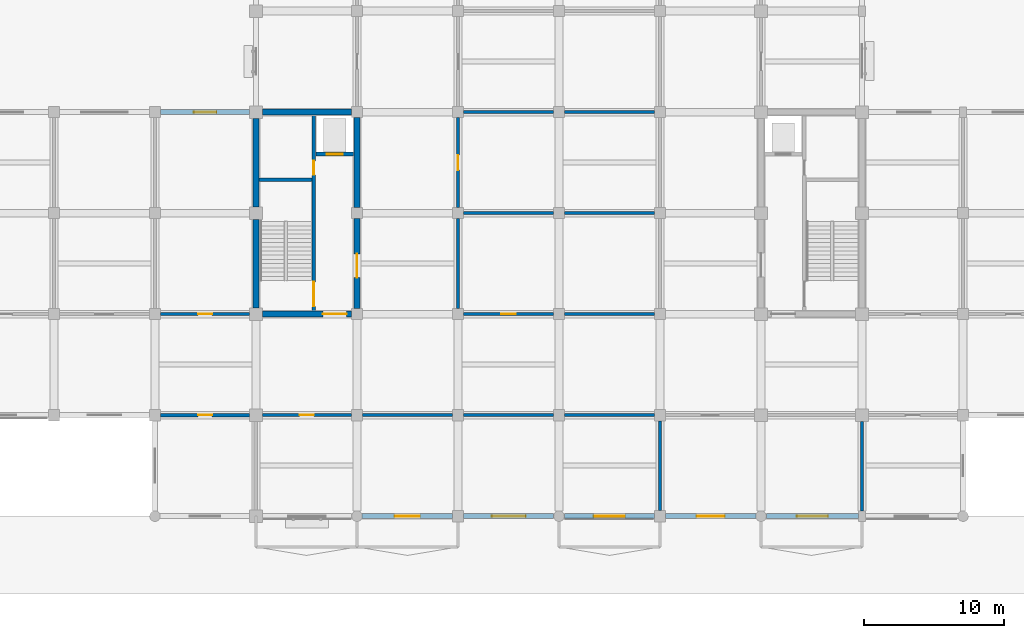
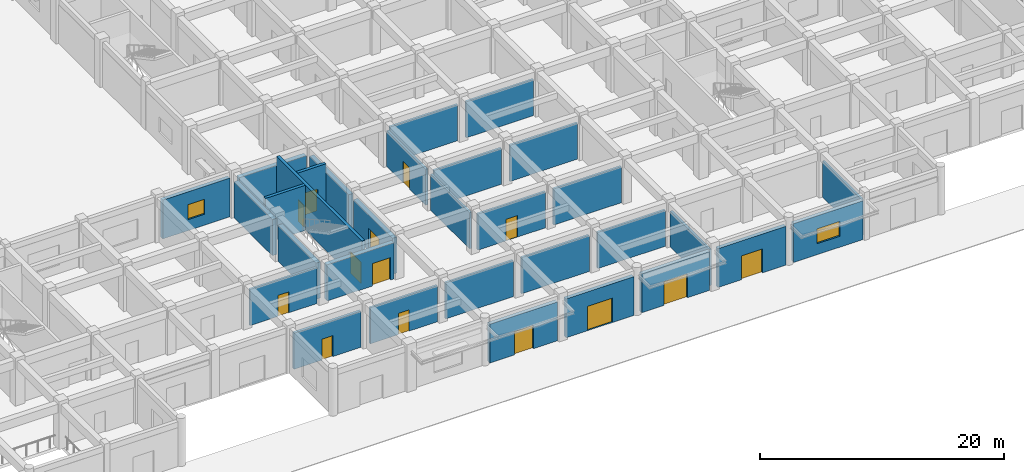
# One storey, part 11 of 37: 31 walls, 14 doors, 2 windows, 16 openings.
"""IFC4 building model written with IfcOpenShell, lengths in metres."""

from ifc_helpers import new_model, si_unit, direction, frame, frame_2d, origin, place, context, subcontext, project, spatial, rectangle, extrude, material, layer, layer_set, type_object, element, fill, save


model = new_model("IFC4")

# Units and contexts
model_context = context("Model", 3, precision=1e-05, world=origin(), true_north=direction((0.0, 1.0)))
body_context = subcontext(model_context, "Body", "Model", "MODEL_VIEW")
ifc_project = project(units=[si_unit("LENGTHUNIT", "METRE"), si_unit("AREAUNIT", "SQUARE_METRE"), si_unit("VOLUMEUNIT", "CUBIC_METRE"), si_unit("PLANEANGLEUNIT", "RADIAN"), si_unit("MASSUNIT", "GRAM", prefix="KILO")], contexts=[model_context])

# Site, building, storey
site_placement = place(None, origin())
site = spatial("IfcSite", under=ifc_project, at=site_placement, CompositionType="ELEMENT")
building_placement = place(site_placement, origin())
building = spatial("IfcBuilding", under=site, at=building_placement, Name="Cendaluz Park School", CompositionType="ELEMENT")
storey_placement = place(building_placement, origin())
storey = spatial("IfcBuildingStorey", under=building, at=storey_placement, Name="L00", CompositionType="ELEMENT", Elevation=0.0)

# Wall, opening, door
ifc_material_1 = material(Name="Gypsum Plasterboard on Cold-Formed Stud", Category="gypsum")
ifc_layer_1 = layer(ifc_material_1, 0.199951171875)
ifc_layer_set_1 = layer_set([ifc_layer_1], Name="Gypsum Plasterboard on Cold-Formed Stud")
wall_type_1 = type_object("IfcWallType", Name="W-AC20", PredefinedType="PARTITIONING", material=ifc_layer_set_1)
wall_1_placement = place(storey_placement, frame((65.25, 7.199951171875, 0.0), z_axis=(0.0, 0.0, 1.0), x_axis=(1.0, 0.0, 0.0)))
wall_1 = element("IfcWall", 1, at=wall_1_placement, inside=storey, type_object=wall_type_1, Name="WL-FA-CD4", PredefinedType="PARTITIONING", context=body_context, shape_type="SweptSolid", body=[
    extrude(rectangle(XDim=6.35009765625, YDim=0.199951171875, at=frame_2d((3.175048828125, 0.0))), origin(), (0.0, 0.0, 1.0), 3.6201171875),
])
opening_1_placement = place(wall_1_placement, frame((2.6650390625, 0.0, 0.0)))
opening_1 = element("IfcOpeningElement", 2, at=opening_1_placement, cuts=wall_1, Name="Opening DCL-02", PredefinedType="OPENING", context=body_context, shape_type="SweptSolid", body=[
    extrude(rectangle(XDim=1.02001953125, YDim=2.1201171875, at=frame_2d((0.510009765625, 1.06005859375))), frame((0.0, 0.112060546875, 0.0), z_axis=(0.0, -1.0, 0.0), x_axis=(1.0, 0.0, 0.0)), (0.0, 0.0, 1.0), 0.223876953125),
])
ifc_material_2 = material(Name="Solid Core Hardwood", Category="wood")
door_type_1 = type_object("IfcDoorType", Name="DCL-02", OperationType="NOTDEFINED", PredefinedType="DOOR", material=ifc_material_2)
door_1_placement = place(opening_1_placement, frame((1.02001953125, 0.0, 0.0), z_axis=(0.0, 0.0, 1.0), x_axis=(-1.0, 0.0, 0.0)))
door_1 = element("IfcDoor", 3, at=door_1_placement, inside=storey, type_object=door_type_1, Name="D-L00-074", OperationType="SINGLE_SWING_LEFT", OverallHeight=2.1201171875, OverallWidth=1.02001953125, PredefinedType="DOOR", context=body_context, shape_type="SweptSolid", body=[
    extrude(rectangle(XDim=1.02001953125, YDim=2.1201171875, at=frame_2d((0.510009765625, 1.06005859375))), frame((0.0, 0.02490234375, 0.0), z_axis=(0.0, -1.0, 0.0), x_axis=(1.0, 0.0, 0.0)), (0.0, 0.0, 1.0), 0.050048828125),
])
fill(opening_1, door_1)

# Walls
wall_2_placement = place(storey_placement, frame((72.39990234375, 7.199951171875, 0.0), z_axis=(0.0, 0.0, 1.0), x_axis=(1.0, 0.0, 0.0)))
element("IfcWall", 4, at=wall_2_placement, inside=storey, type_object=wall_type_1, Name="WL-FA-CD5", PredefinedType="PARTITIONING", context=body_context, shape_type="SweptSolid", body=[
    extrude(rectangle(XDim=6.400146484375, YDim=0.199951171875, at=frame_2d((3.2001953125, 0.0))), origin(), (0.0, 0.0, 1.0), 3.6201171875),
])
for number, where, z_axis, x_axis, name in (
    (5, (79.60009765625, 7.199951171875, 0.0), (0.0, 0.0, 1.0), (1.0, 0.0, 0.0), "WL-FA-CD6"),
    (6, (86.800048828125, 7.199951171875, 0.0), (0.0, 0.0, 1.0), (1.0, 0.0, 0.0), "WL-FA-CD7"),
):
    element("IfcWall", number, at=place(storey_placement, frame(where, z_axis=z_axis, x_axis=x_axis)), inside=storey, type_object=wall_type_1, Name=name, PredefinedType="PARTITIONING", context=body_context, shape_type="SweptSolid", body=[
        extrude(rectangle(XDim=6.39990234375, YDim=0.199951171875, at=frame_2d((3.199951171875, 0.0))), origin(), (0.0, 0.0, 1.0), 3.6201171875),
    ])
wall_3_placement = place(storey_placement, frame((93.60009765625, 0.39990234375, 0.0), z_axis=(0.0, 0.0, 1.0), x_axis=(0.0, 1.0, 0.0)))
element("IfcWall", 7, at=wall_3_placement, inside=storey, type_object=wall_type_1, Name="WL-FA-CD8", PredefinedType="PARTITIONING", context=body_context, shape_type="SweptSolid", body=[
    extrude(rectangle(XDim=6.400146484375, YDim=0.199951171875, at=frame_2d((3.2001953125, 0.0))), origin(), (0.0, 0.0, 1.0), 3.6201171875),
])
for number, where, z_axis, x_axis, name in (
    (8, (79.60009765625, 28.800048828125, 0.0), (0.0, 0.0, 1.0), (1.0, 0.0, 0.0), "WL-FA-CE5"),
    (9, (86.800048828125, 28.800048828125, 0.0), (0.0, 0.0, 1.0), (1.0, 0.0, 0.0), "WL-FA-CE8"),
):
    element("IfcWall", number, at=place(storey_placement, frame(where, z_axis=z_axis, x_axis=x_axis)), inside=storey, type_object=wall_type_1, Name=name, PredefinedType="PARTITIONING", context=body_context, shape_type="SweptSolid", body=[
        extrude(rectangle(XDim=6.39990234375, YDim=0.199951171875, at=frame_2d((3.199951171875, 0.0))), origin(), (0.0, 0.0, 1.0), 3.6201171875),
    ])

# Wall, opening, door
wall_4_placement = place(storey_placement, frame((58.0, 14.39990234375, 0.0), z_axis=(0.0, 0.0, 1.0), x_axis=(1.0, 0.0, 0.0)))
wall_4 = element("IfcWall", 10, at=wall_4_placement, inside=storey, type_object=wall_type_1, Name="WL-FA-CH0", PredefinedType="PARTITIONING", context=body_context, shape_type="SweptSolid", body=[
    extrude(rectangle(XDim=6.35009765625, YDim=0.199951171875, at=frame_2d((3.175048828125, 0.0))), origin(), (0.0, 0.0, 1.0), 3.6201171875),
])
opening_2_placement = place(wall_4_placement, frame((2.675048828125, 0.0, 0.0)))
opening_2 = element("IfcOpeningElement", 11, at=opening_2_placement, cuts=wall_4, Name="Opening DCL-01", PredefinedType="OPENING", context=body_context, shape_type="SweptSolid", body=[
    extrude(rectangle(XDim=1.0, YDim=2.10009765625, at=frame_2d((0.5, 1.050048828125))), frame((0.0, 0.112060546875, 0.0), z_axis=(0.0, -1.0, 0.0), x_axis=(1.0, 0.0, 0.0)), (0.0, 0.0, 1.0), 0.223876953125),
])
door_type_2 = type_object("IfcDoorType", Name="DCL-01", OperationType="NOTDEFINED", PredefinedType="DOOR", material=ifc_material_2)
door_2_placement = place(opening_2_placement, origin())
door_2 = element("IfcDoor", 12, at=door_2_placement, inside=storey, type_object=door_type_2, Name="D-L00-083", OperationType="SINGLE_SWING_LEFT", OverallHeight=2.10009765625, OverallWidth=1.0, PredefinedType="DOOR", context=body_context, shape_type="SweptSolid", body=[
    extrude(rectangle(XDim=1.0, YDim=2.10009765625, at=frame_2d((0.5, 1.050048828125))), frame((0.0, 0.02490234375, 0.0), z_axis=(0.0, -1.0, 0.0), x_axis=(1.0, 0.0, 0.0)), (0.0, 0.0, 1.0), 0.050048828125),
])
fill(opening_2, door_2)

wall_5_placement = place(storey_placement, frame((79.60009765625, 14.39990234375, 0.0), z_axis=(0.0, 0.0, 1.0), x_axis=(1.0, 0.0, 0.0)))
wall_5 = element("IfcWall", 13, at=wall_5_placement, inside=storey, type_object=wall_type_1, Name="WL-FA-CJ8", PredefinedType="PARTITIONING", context=body_context, shape_type="SweptSolid", body=[
    extrude(rectangle(XDim=6.39990234375, YDim=0.199951171875, at=frame_2d((3.199951171875, 0.0))), origin(), (0.0, 0.0, 1.0), 3.6201171875),
])
opening_3_placement = place(wall_5_placement, frame((2.669921875, 0.0, 0.0)))
opening_3 = element("IfcOpeningElement", 14, at=opening_3_placement, cuts=wall_5, Name="Opening DCL-04", PredefinedType="OPENING", context=body_context, shape_type="SweptSolid", body=[
    extrude(rectangle(XDim=1.06005859375, YDim=2.159912109375, at=frame_2d((0.530029296875, 1.080078125))), frame((0.0, 0.112060546875, 0.0), z_axis=(0.0, -1.0, 0.0), x_axis=(1.0, 0.0, 0.0)), (0.0, 0.0, 1.0), 0.223876953125),
])
door_type_3 = type_object("IfcDoorType", Name="DCL-04", OperationType="NOTDEFINED", PredefinedType="DOOR", material=ifc_material_2)
door_3_placement = place(opening_3_placement, origin())
door_3 = element("IfcDoor", 15, at=door_3_placement, inside=storey, type_object=door_type_3, Name="D-L00-096", OperationType="SINGLE_SWING_RIGHT", OverallHeight=2.159912109375, OverallWidth=1.06005859375, PredefinedType="DOOR", context=body_context, shape_type="SweptSolid", body=[
    extrude(rectangle(XDim=1.06005859375, YDim=2.159912109375, at=frame_2d((0.530029296875, 1.080078125))), frame((0.0, 0.02490234375, 0.0), z_axis=(0.0, -1.0, 0.0), x_axis=(1.0, 0.0, 0.0)), (0.0, 0.0, 1.0), 0.050048828125),
])
fill(opening_3, door_3)

# Walls
for number, where, z_axis, x_axis, name in (
    (16, (79.60009765625, 21.60009765625, 0.0), (0.0, 0.0, 1.0), (1.0, 0.0, 0.0), "WL-FA-CJ9"),
    (17, (79.199951171875, 14.800048828125, 0.0), (0.0, 0.0, 1.0), (0.0, 1.0, 0.0), "WL-FA-CK0"),
    (18, (86.800048828125, 14.39990234375, 0.0), (0.0, 0.0, 1.0), (1.0, 0.0, 0.0), "WL-FA-CK1"),
    (19, (86.800048828125, 21.60009765625, 0.0), (0.0, 0.0, 1.0), (1.0, 0.0, 0.0), "WL-FA-CK2"),
):
    element("IfcWall", number, at=place(storey_placement, frame(where, z_axis=z_axis, x_axis=x_axis)), inside=storey, type_object=wall_type_1, Name=name, PredefinedType="PARTITIONING", context=body_context, shape_type="SweptSolid", body=[
        extrude(rectangle(XDim=6.39990234375, YDim=0.199951171875, at=frame_2d((3.199951171875, 0.0))), origin(), (0.0, 0.0, 1.0), 3.6201171875),
    ])

# Wall, opening, door
wall_6_placement = place(storey_placement, frame((79.199951171875, 22.0, 0.0), z_axis=(0.0, 0.0, 1.0), x_axis=(0.0, 1.0, 0.0)))
wall_6 = element("IfcWall", 20, at=wall_6_placement, inside=storey, type_object=wall_type_1, Name="WL-FA-CK4", PredefinedType="PARTITIONING", context=body_context, shape_type="SweptSolid", body=[
    extrude(rectangle(XDim=6.39990234375, YDim=0.199951171875, at=frame_2d((3.199951171875, 0.0))), origin(), (0.0, 0.0, 1.0), 3.6201171875),
])
opening_4_placement = place(wall_6_placement, frame((2.659912109375, 0.0, 0.0)))
opening_4 = element("IfcOpeningElement", 21, at=opening_4_placement, cuts=wall_6, Name="Opening DCL-05", PredefinedType="OPENING", context=body_context, shape_type="SweptSolid", body=[
    extrude(rectangle(XDim=1.080078125, YDim=2.179931640625, at=frame_2d((0.5400390625, 1.08984375))), frame((0.0, 0.112060546875, 0.0), z_axis=(0.0, -1.0, 0.0), x_axis=(1.0, 0.0, 0.0)), (0.0, 0.0, 1.0), 0.223876953125),
])
door_type_4 = type_object("IfcDoorType", Name="DCL-05", OperationType="NOTDEFINED", PredefinedType="DOOR", material=ifc_material_2)
door_4_placement = place(opening_4_placement, frame((1.080078125, 0.0, 0.0), z_axis=(0.0, 0.0, 1.0), x_axis=(-1.0, 0.0, 0.0)))
door_4 = element("IfcDoor", 22, at=door_4_placement, inside=storey, type_object=door_type_4, Name="D-L00-097", OperationType="SINGLE_SWING_LEFT", OverallHeight=2.179931640625, OverallWidth=1.080078125, PredefinedType="DOOR", context=body_context, shape_type="SweptSolid", body=[
    extrude(rectangle(XDim=1.080078125, YDim=2.179931640625, at=frame_2d((0.5400390625, 1.08984375))), frame((0.0, 0.02490234375, 0.0), z_axis=(0.0, -1.0, 0.0), x_axis=(1.0, 0.0, 0.0)), (0.0, 0.0, 1.0), 0.050048828125),
])
fill(opening_4, door_4)

# Wall
wall_7_placement = place(storey_placement, frame((108.0, 0.375, 0.0), z_axis=(0.0, 0.0, 1.0), x_axis=(0.0, 1.0, 0.0)))
element("IfcWall", 23, at=wall_7_placement, inside=storey, type_object=wall_type_1, Name="WL-FA-CL4", PredefinedType="PARTITIONING", context=body_context, shape_type="SweptSolid", body=[
    extrude(rectangle(XDim=6.375, YDim=0.199951171875, at=frame_2d((3.1875, 0.0))), origin(), (0.0, 0.0, 1.0), 3.6201171875),
])

# Wall, opening, door
ifc_layer_2 = layer(ifc_material_1, 0.25)
ifc_layer_set_2 = layer_set([ifc_layer_2], Name="Gypsum Plasterboard on Cold-Formed Stud")
wall_type_2 = type_object("IfcWallType", Name="W-CP25", PredefinedType="PARTITIONING", material=ifc_layer_set_2)
wall_8_placement = place(storey_placement, frame((58.0, 7.199951171875, 0.0), z_axis=(0.0, 0.0, 1.0), x_axis=(1.0, 0.0, 0.0)))
wall_8 = element("IfcWall", 24, at=wall_8_placement, inside=storey, type_object=wall_type_2, Name="WL-FA-CD2", PredefinedType="PARTITIONING", context=body_context, shape_type="SweptSolid", body=[
    extrude(rectangle(XDim=6.35009765625, YDim=0.25, at=frame_2d((3.175048828125, 0.0))), origin(), (0.0, 0.0, 1.0), 3.6201171875),
])
opening_5_placement = place(wall_8_placement, frame((2.675048828125, 0.0, 0.0)))
opening_5 = element("IfcOpeningElement", 25, at=opening_5_placement, cuts=wall_8, Name="Opening DCL-01", PredefinedType="OPENING", context=body_context, shape_type="SweptSolid", body=[
    extrude(rectangle(XDim=1.0, YDim=2.10009765625, at=frame_2d((0.5, 1.050048828125))), frame((0.0, 0.136962890625, 0.0), z_axis=(0.0, -1.0, 0.0), x_axis=(1.0, 0.0, 0.0)), (0.0, 0.0, 1.0), 0.27392578125),
])
door_5_placement = place(opening_5_placement, origin())
door_5 = element("IfcDoor", 26, at=door_5_placement, inside=storey, type_object=door_type_2, Name="D-L00-073", OperationType="SINGLE_SWING_RIGHT", OverallHeight=2.10009765625, OverallWidth=1.0, PredefinedType="DOOR", context=body_context, shape_type="SweptSolid", body=[
    extrude(rectangle(XDim=1.0, YDim=2.10009765625, at=frame_2d((0.5, 1.050048828125))), frame((0.0, 0.02490234375, 0.0), z_axis=(0.0, -1.0, 0.0), x_axis=(1.0, 0.0, 0.0)), (0.0, 0.0, 1.0), 0.050048828125),
])
fill(opening_5, door_5)

# Wall, opening, window
ifc_material_3 = material(Name="Concrete C40/50 precast", Category="concrete")
ifc_layer_3 = layer(ifc_material_3, 0.360107421875)
ifc_layer_set_3 = layer_set([ifc_layer_3], Name="Concrete C40/50 precast")
wall_type_3 = type_object("IfcWallType", Name="W-EX36", PredefinedType="SOLIDWALL", material=ifc_layer_set_3)
wall_9_placement = place(storey_placement, frame((58.0, 28.800048828125, 0.0), z_axis=(0.0, 0.0, 1.0), x_axis=(1.0, 0.0, 0.0)))
wall_9 = element("IfcWall", 27, at=wall_9_placement, inside=storey, type_object=wall_type_3, Name="WL-FA-AF3", PredefinedType="SOLIDWALL", context=body_context, shape_type="SweptSolid", body=[
    extrude(rectangle(XDim=6.35009765625, YDim=0.360107421875, at=frame_2d((3.175048828125, 0.0))), origin(), (0.0, 0.0, 1.0), 3.889892578125),
])
opening_6_placement = place(wall_9_placement, frame((2.375, 0.0, 1.10009765625)))
opening_6 = element("IfcOpeningElement", 28, at=opening_6_placement, cuts=wall_9, Name="Opening WN-16", PredefinedType="OPENING", context=body_context, shape_type="SweptSolid", body=[
    extrude(rectangle(XDim=1.60009765625, YDim=1.5, at=frame_2d((0.800048828125, 0.75))), frame((0.0, 0.192138671875, 0.0), z_axis=(0.0, -1.0, 0.0), x_axis=(1.0, 0.0, 0.0)), (0.0, 0.0, 1.0), 0.384033203125),
])
ifc_material_4 = material(Name="Tempered Low-E Double Glazing", Category="glass")
window_type_1 = type_object("IfcWindowType", Name="WN-16", PartitioningType="SINGLE_PANEL", PredefinedType="WINDOW", material=ifc_material_4)
window_1_placement = place(opening_6_placement, origin())
window_1 = element("IfcWindow", 29, at=window_1_placement, inside=storey, type_object=window_type_1, Name="WN-L00-041", OverallHeight=1.5, OverallWidth=1.60009765625, PartitioningType="SINGLE_PANEL", PredefinedType="WINDOW", context=body_context, shape_type="SweptSolid", body=[
    extrude(rectangle(XDim=1.60009765625, YDim=1.5, at=frame_2d((0.800048828125, 0.75))), frame((0.0, 0.030029296875, 0.0), z_axis=(0.0, -1.0, 0.0), x_axis=(1.0, 0.0, 0.0)), (0.0, 0.0, 1.0), 0.06005859375),
])
fill(opening_6, window_1)

# Wall, opening, door
wall_10_placement = place(storey_placement, frame((72.375, 0.0, 0.0), z_axis=(0.0, 0.0, 1.0), x_axis=(1.0, 0.0, 0.0)))
wall_10 = element("IfcWall", 30, at=wall_10_placement, inside=storey, type_object=wall_type_3, Name="WL-FA-AG0", PredefinedType="SOLIDWALL", context=body_context, shape_type="SweptSolid", body=[
    extrude(rectangle(XDim=6.425048828125, YDim=0.360107421875, at=frame_2d((3.21240234375, 0.0))), origin(), (0.0, 0.0, 1.0), 3.889892578125),
])
opening_7_placement = place(wall_10_placement, frame((2.3125, 0.0, 0.0)))
opening_7 = element("IfcOpeningElement", 31, at=opening_7_placement, cuts=wall_10, Name="Opening DEX-03", PredefinedType="OPENING", context=body_context, shape_type="SweptSolid", body=[
    extrude(rectangle(XDim=1.800048828125, YDim=2.35009765625, at=frame_2d((0.89990234375, 1.175048828125))), frame((0.0, 0.192138671875, 0.0), z_axis=(0.0, -1.0, 0.0), x_axis=(1.0, 0.0, 0.0)), (0.0, 0.0, 1.0), 0.384033203125),
])
ifc_material_5 = material(Name="Architectural Bronze")
door_type_5 = type_object("IfcDoorType", Name="DEX-03", OperationType="DOUBLE_DOOR_SINGLE_SWING", PredefinedType="DOOR", material=ifc_material_5)
door_6_placement = place(opening_7_placement, frame((1.800048828125, 0.0, 0.0), z_axis=(0.0, 0.0, 1.0), x_axis=(-1.0, 0.0, 0.0)))
door_6 = element("IfcDoor", 32, at=door_6_placement, inside=storey, type_object=door_type_5, Name="D-L00-014", OperationType="DOUBLE_DOOR_SINGLE_SWING", OverallHeight=2.35009765625, OverallWidth=1.800048828125, PredefinedType="DOOR", context=body_context, shape_type="SweptSolid", body=[
    extrude(rectangle(XDim=1.800048828125, YDim=2.35009765625, at=frame_2d((0.89990234375, 1.175048828125))), frame((0.0, 0.02490234375, 0.0), z_axis=(0.0, -1.0, 0.0), x_axis=(1.0, 0.0, 0.0)), (0.0, 0.0, 1.0), 0.050048828125),
])
fill(opening_7, door_6)

wall_11_placement = place(storey_placement, frame((79.60009765625, 0.0, 0.0), z_axis=(0.0, 0.0, 1.0), x_axis=(1.0, 0.0, 0.0)))
wall_11 = element("IfcWall", 33, at=wall_11_placement, inside=storey, type_object=wall_type_3, Name="WL-FA-AG2", PredefinedType="SOLIDWALL", context=body_context, shape_type="SweptSolid", body=[
    extrude(rectangle(XDim=6.4248046875, YDim=0.360107421875, at=frame_2d((3.21240234375, 0.0))), origin(), (0.0, 0.0, 1.0), 3.889892578125),
])
opening_8_placement = place(wall_11_placement, frame((2.012451171875, 0.0, 0.0)))
opening_8 = element("IfcOpeningElement", 34, at=opening_8_placement, cuts=wall_11, Name="Opening DEX-04", PredefinedType="OPENING", context=body_context, shape_type="SweptSolid", body=[
    extrude(rectangle(XDim=2.39990234375, YDim=2.449951171875, at=frame_2d((1.199951171875, 1.22509765625))), frame((0.0, 0.192138671875, 0.0), z_axis=(0.0, -1.0, 0.0), x_axis=(1.0, 0.0, 0.0)), (0.0, 0.0, 1.0), 0.384033203125),
])
door_type_6 = type_object("IfcDoorType", Name="DEX-04", OperationType="DOUBLE_DOOR_SINGLE_SWING", PredefinedType="DOOR", material=ifc_material_5)
door_7_placement = place(opening_8_placement, frame((2.39990234375, 0.0, 0.0), z_axis=(0.0, 0.0, 1.0), x_axis=(-1.0, 0.0, 0.0)))
door_7 = element("IfcDoor", 35, at=door_7_placement, inside=storey, type_object=door_type_6, Name="D-L00-015", OperationType="DOUBLE_DOOR_SINGLE_SWING", OverallHeight=2.449951171875, OverallWidth=2.39990234375, PredefinedType="DOOR", context=body_context, shape_type="SweptSolid", body=[
    extrude(rectangle(XDim=2.39990234375, YDim=2.449951171875, at=frame_2d((1.199951171875, 1.22509765625))), frame((0.0, 0.02490234375, 0.0), z_axis=(0.0, -1.0, 0.0), x_axis=(1.0, 0.0, 0.0)), (0.0, 0.0, 1.0), 0.050048828125),
])
fill(opening_8, door_7)

wall_12_placement = place(storey_placement, frame((86.77490234375, 0.0, 0.0), z_axis=(0.0, 0.0, 1.0), x_axis=(1.0, 0.0, 0.0)))
wall_12 = element("IfcWall", 36, at=wall_12_placement, inside=storey, type_object=wall_type_3, Name="WL-FA-AG4", PredefinedType="SOLIDWALL", context=body_context, shape_type="SweptSolid", body=[
    extrude(rectangle(XDim=6.425048828125, YDim=0.360107421875, at=frame_2d((3.21240234375, 0.0))), origin(), (0.0, 0.0, 1.0), 3.889892578125),
])
opening_9_placement = place(wall_12_placement, frame((2.112548828125, 0.0, 0.0)))
opening_9 = element("IfcOpeningElement", 37, at=opening_9_placement, cuts=wall_12, Name="Opening DEX-01", PredefinedType="OPENING", context=body_context, shape_type="SweptSolid", body=[
    extrude(rectangle(XDim=2.199951171875, YDim=2.39990234375, at=frame_2d((1.10009765625, 1.199951171875))), frame((0.0, 0.192138671875, 0.0), z_axis=(0.0, -1.0, 0.0), x_axis=(1.0, 0.0, 0.0)), (0.0, 0.0, 1.0), 0.384033203125),
])
door_type_7 = type_object("IfcDoorType", Name="DEX-01", OperationType="DOUBLE_DOOR_SINGLE_SWING", PredefinedType="DOOR", material=ifc_material_5)
door_8_placement = place(opening_9_placement, frame((2.199951171875, 0.0, 0.0), z_axis=(0.0, 0.0, 1.0), x_axis=(-1.0, 0.0, 0.0)))
door_8 = element("IfcDoor", 38, at=door_8_placement, inside=storey, type_object=door_type_7, Name="D-L00-016", OperationType="DOUBLE_DOOR_SINGLE_SWING", OverallHeight=2.39990234375, OverallWidth=2.199951171875, PredefinedType="DOOR", context=body_context, shape_type="SweptSolid", body=[
    extrude(rectangle(XDim=2.199951171875, YDim=2.39990234375, at=frame_2d((1.10009765625, 1.199951171875))), frame((0.0, 0.02490234375, 0.0), z_axis=(0.0, -1.0, 0.0), x_axis=(1.0, 0.0, 0.0)), (0.0, 0.0, 1.0), 0.050048828125),
])
fill(opening_9, door_8)

wall_13_placement = place(storey_placement, frame((94.0, 0.0, 0.0), z_axis=(0.0, 0.0, 1.0), x_axis=(1.0, 0.0, 0.0)))
wall_13 = element("IfcWall", 39, at=wall_13_placement, inside=storey, type_object=wall_type_3, Name="WL-FA-AG6", PredefinedType="SOLIDWALL", context=body_context, shape_type="SweptSolid", body=[
    extrude(rectangle(XDim=6.425048828125, YDim=0.360107421875, at=frame_2d((3.21240234375, 0.0))), origin(), (0.0, 0.0, 1.0), 3.889892578125),
])
opening_10_placement = place(wall_13_placement, frame((2.21240234375, 0.0, 0.0)))
opening_10 = element("IfcOpeningElement", 40, at=opening_10_placement, cuts=wall_13, Name="Opening DEX-02", PredefinedType="OPENING", context=body_context, shape_type="SweptSolid", body=[
    extrude(rectangle(XDim=2.0, YDim=2.39990234375, at=frame_2d((1.0, 1.199951171875))), frame((0.0, 0.192138671875, 0.0), z_axis=(0.0, -1.0, 0.0), x_axis=(1.0, 0.0, 0.0)), (0.0, 0.0, 1.0), 0.384033203125),
])
door_type_8 = type_object("IfcDoorType", Name="DEX-02", OperationType="DOUBLE_DOOR_SINGLE_SWING", PredefinedType="DOOR", material=ifc_material_5)
door_9_placement = place(opening_10_placement, frame((2.0, 0.0, 0.0), z_axis=(0.0, 0.0, 1.0), x_axis=(-1.0, 0.0, 0.0)))
door_9 = element("IfcDoor", 41, at=door_9_placement, inside=storey, type_object=door_type_8, Name="D-L00-017", OperationType="DOUBLE_DOOR_SINGLE_SWING", OverallHeight=2.39990234375, OverallWidth=2.0, PredefinedType="DOOR", context=body_context, shape_type="SweptSolid", body=[
    extrude(rectangle(XDim=2.0, YDim=2.39990234375, at=frame_2d((1.0, 1.199951171875))), frame((0.0, 0.02490234375, 0.0), z_axis=(0.0, -1.0, 0.0), x_axis=(1.0, 0.0, 0.0)), (0.0, 0.0, 1.0), 0.050048828125),
])
fill(opening_10, door_9)

# Wall, opening, window
wall_14_placement = place(storey_placement, frame((101.175048828125, 0.0, 0.0), z_axis=(0.0, 0.0, 1.0), x_axis=(1.0, 0.0, 0.0)))
wall_14 = element("IfcWall", 42, at=wall_14_placement, inside=storey, type_object=wall_type_3, Name="WL-FA-AG8", PredefinedType="SOLIDWALL", context=body_context, shape_type="SweptSolid", body=[
    extrude(rectangle(XDim=6.574951171875, YDim=0.360107421875, at=frame_2d((3.28759765625, 0.0))), origin(), (0.0, 0.0, 1.0), 3.889892578125),
])
opening_11_placement = place(wall_14_placement, frame((2.1875, 0.0, 1.10009765625)))
opening_11 = element("IfcOpeningElement", 43, at=opening_11_placement, cuts=wall_14, Name="Opening WN-18", PredefinedType="OPENING", context=body_context, shape_type="SweptSolid", body=[
    extrude(rectangle(XDim=2.199951171875, YDim=1.5, at=frame_2d((1.10009765625, 0.75))), frame((0.0, 0.192138671875, 0.0), z_axis=(0.0, -1.0, 0.0), x_axis=(1.0, 0.0, 0.0)), (0.0, 0.0, 1.0), 0.384033203125),
])
window_type_2 = type_object("IfcWindowType", Name="WN-18", PartitioningType="SINGLE_PANEL", PredefinedType="WINDOW", material=ifc_material_4)
window_2_placement = place(opening_11_placement, origin())
window_2 = element("IfcWindow", 44, at=window_2_placement, inside=storey, type_object=window_type_2, Name="WN-L00-052", OverallHeight=1.5, OverallWidth=2.199951171875, PartitioningType="SINGLE_PANEL", PredefinedType="WINDOW", context=body_context, shape_type="SweptSolid", body=[
    extrude(rectangle(XDim=2.199951171875, YDim=1.5, at=frame_2d((1.10009765625, 0.75))), frame((0.0, 0.030029296875, 0.0), z_axis=(0.0, -1.0, 0.0), x_axis=(1.0, 0.0, 0.0)), (0.0, 0.0, 1.0), 0.06005859375),
])
fill(opening_11, window_2)

# Wall, openings, doors
ifc_material_6 = material(Name="Concrete C40/50", Category="concrete")
ifc_layer_4 = layer(ifc_material_6, 0.280029296875)
ifc_layer_set_4 = layer_set([ifc_layer_4], Name="Concrete C40/50")
wall_type_4 = type_object("IfcWallType", Name="W-FW28", PredefinedType="SHEAR", material=ifc_layer_set_4)
wall_15_placement = place(storey_placement, frame((68.919921875, 14.60009765625, 0.0), z_axis=(0.0, 0.0, 1.0), x_axis=(0.0, 1.0, 0.0)))
wall_15 = element("IfcWall", 45, at=wall_15_placement, inside=storey, type_object=wall_type_4, Name="WL-FA-BR4", PredefinedType="SHEAR", context=body_context, shape_type="SweptSolid", body=[
    extrude(rectangle(XDim=14.0, YDim=0.280029296875, at=frame_2d((7.0, 0.0))), origin(), (0.0, 0.0, 1.0), 4.52001953125),
])
opening_12_placement = place(wall_15_placement, frame((0.35009765625, 0.0, 0.0)))
opening_12 = element("IfcOpeningElement", 46, at=opening_12_placement, cuts=wall_15, Name="Opening DST-03", PredefinedType="OPENING", context=body_context, shape_type="SweptSolid", body=[
    extrude(rectangle(XDim=1.75, YDim=2.14990234375, at=frame_2d((0.875, 1.074951171875))), frame((0.0, 0.152099609375, 0.0), z_axis=(0.0, -1.0, 0.0), x_axis=(1.0, 0.0, 0.0)), (0.0, 0.0, 1.0), 0.303955078125),
])
opening_13_placement = place(wall_15_placement, frame((9.719970703125, 0.0, 0.0)))
opening_13 = element("IfcOpeningElement", 47, at=opening_13_placement, cuts=wall_15, Name="Opening DFC-01", PredefinedType="OPENING", context=body_context, shape_type="SweptSolid", body=[
    extrude(rectangle(XDim=1.0, YDim=2.14990234375, at=frame_2d((0.5, 1.074951171875))), frame((0.0, 0.152099609375, 0.0), z_axis=(0.0, -1.0, 0.0), x_axis=(1.0, 0.0, 0.0)), (0.0, 0.0, 1.0), 0.303955078125),
])
door_type_9 = type_object("IfcDoorType", Name="DFC-01", OperationType="NOTDEFINED", PredefinedType="DOOR", material=ifc_material_2)
door_10_placement = place(opening_13_placement, origin())
door_10 = element("IfcDoor", 48, at=door_10_placement, inside=storey, type_object=door_type_9, Name="D-L00-033", OperationType="SINGLE_SWING_RIGHT", OverallHeight=2.14990234375, OverallWidth=1.0, PredefinedType="DOOR", context=body_context, shape_type="SweptSolid", body=[
    extrude(rectangle(XDim=1.0, YDim=2.14990234375, at=frame_2d((0.5, 1.074951171875))), frame((0.0, 0.02490234375, 0.0), z_axis=(0.0, -1.0, 0.0), x_axis=(1.0, 0.0, 0.0)), (0.0, 0.0, 1.0), 0.050048828125),
])
fill(opening_13, door_10)
door_type_10 = type_object("IfcDoorType", Name="DST-03", OperationType="DOUBLE_DOOR_SINGLE_SWING", PredefinedType="DOOR", material=ifc_material_2)
door_11_placement = place(opening_12_placement, frame((1.75, 0.0, 0.0), z_axis=(0.0, 0.0, 1.0), x_axis=(-1.0, 0.0, 0.0)))
door_11 = element("IfcDoor", 49, at=door_11_placement, inside=storey, type_object=door_type_10, Name="D-L00-032", OperationType="DOUBLE_DOOR_SINGLE_SWING", OverallHeight=2.14990234375, OverallWidth=1.75, PredefinedType="DOOR", context=body_context, shape_type="SweptSolid", body=[
    extrude(rectangle(XDim=1.75, YDim=2.14990234375, at=frame_2d((0.875, 1.074951171875))), frame((0.0, 0.02490234375, 0.0), z_axis=(0.0, -1.0, 0.0), x_axis=(1.0, 0.0, 0.0)), (0.0, 0.0, 1.0), 0.050048828125),
])
fill(opening_12, door_11)

# Wall
wall_16_placement = place(storey_placement, frame((65.0, 23.97998046875, 0.0), z_axis=(0.0, 0.0, 1.0), x_axis=(1.0, 0.0, 0.0)))
element("IfcWall", 50, at=wall_16_placement, inside=storey, type_object=wall_type_4, Name="WL-FA-BR5", PredefinedType="SHEAR", context=body_context, shape_type="SweptSolid", body=[
    extrude(rectangle(XDim=3.780029296875, YDim=0.280029296875, at=frame_2d((1.89013671875, 0.0))), origin(), (0.0, 0.0, 1.0), 4.52001953125),
])

# Wall, opening, door
wall_17_placement = place(storey_placement, frame((69.080078125, 25.800048828125, 0.0), z_axis=(0.0, 0.0, 1.0), x_axis=(1.0, 0.0, 0.0)))
wall_17 = element("IfcWall", 51, at=wall_17_placement, inside=storey, type_object=wall_type_4, Name="WL-FA-BR6", PredefinedType="SHEAR", context=body_context, shape_type="SweptSolid", body=[
    extrude(rectangle(XDim=2.679931640625, YDim=0.280029296875, at=frame_2d((1.33984375, 0.0))), origin(), (0.0, 0.0, 1.0), 4.52001953125),
])
opening_14_placement = place(wall_17_placement, frame((0.764892578125, 0.0, 0.0)))
opening_14 = element("IfcOpeningElement", 52, at=opening_14_placement, cuts=wall_17, Name="Opening LD-01", PredefinedType="OPENING", context=body_context, shape_type="SweptSolid", body=[
    extrude(rectangle(XDim=1.14990234375, YDim=2.199951171875, at=frame_2d((0.574951171875, 1.10009765625))), frame((0.0, 0.152099609375, 0.0), z_axis=(0.0, -1.0, 0.0), x_axis=(1.0, 0.0, 0.0)), (0.0, 0.0, 1.0), 0.303955078125),
])
ifc_material_7 = material(Name="Stainless Steel 316L", Category="steel")
door_type_11 = type_object("IfcDoorType", Name="LD-01", OperationType="DOUBLE_DOOR_SLIDING", PredefinedType="DOOR", material=ifc_material_7)
door_12_placement = place(opening_14_placement, frame((1.14990234375, 0.0, 0.0), z_axis=(0.0, 0.0, 1.0), x_axis=(-1.0, 0.0, 0.0)))
door_12 = element("IfcDoor", 53, at=door_12_placement, inside=storey, type_object=door_type_11, Name="D-L00-034", OperationType="DOUBLE_DOOR_SLIDING", OverallHeight=2.199951171875, OverallWidth=1.14990234375, PredefinedType="DOOR", context=body_context, shape_type="SweptSolid", body=[
    extrude(rectangle(XDim=1.14990234375, YDim=2.199951171875, at=frame_2d((0.574951171875, 1.10009765625))), frame((0.0, 0.02490234375, 0.0), z_axis=(0.0, -1.0, 0.0), x_axis=(1.0, 0.0, 0.0)), (0.0, 0.0, 1.0), 0.050048828125),
])
fill(opening_14, door_12)

# Walls
ifc_layer_5 = layer(ifc_material_6, 0.419921875)
ifc_layer_set_5 = layer_set([ifc_layer_5], Name="Concrete C40/50")
wall_type_5 = type_object("IfcWallType", Name="W-SH42", PredefinedType="SHEAR", material=ifc_layer_set_5)
wall_18_placement = place(storey_placement, frame((64.800048828125, 14.85009765625, 0.0), z_axis=(0.0, 0.0, 1.0), x_axis=(0.0, 1.0, 0.0)))
element("IfcWall", 54, at=wall_18_placement, inside=storey, type_object=wall_type_5, Name="WL-FA-BQ8", PredefinedType="SHEAR", context=body_context, shape_type="SweptSolid", body=[
    extrude(rectangle(XDim=6.2998046875, YDim=0.419921875, at=frame_2d((3.14990234375, 0.0))), origin(), (0.0, 0.0, 1.0), 3.6201171875),
])
wall_19_placement = place(storey_placement, frame((64.800048828125, 22.050048828125, 0.0), z_axis=(0.0, 0.0, 1.0), x_axis=(0.0, 1.0, 0.0)))
element("IfcWall", 55, at=wall_19_placement, inside=storey, type_object=wall_type_5, Name="WL-FA-BQ9", PredefinedType="SHEAR", context=body_context, shape_type="SweptSolid", body=[
    extrude(rectangle(XDim=6.300048828125, YDim=0.419921875, at=frame_2d((3.14990234375, 0.0))), origin(), (0.0, 0.0, 1.0), 3.6201171875),
])

# Wall, opening, door
wall_20_placement = place(storey_placement, frame((72.0, 14.800048828125, 0.0), z_axis=(0.0, 0.0, 1.0), x_axis=(0.0, 1.0, 0.0)))
wall_20 = element("IfcWall", 56, at=wall_20_placement, inside=storey, type_object=wall_type_5, Name="WL-FA-BR0", PredefinedType="SHEAR", context=body_context, shape_type="SweptSolid", body=[
    extrude(rectangle(XDim=6.39990234375, YDim=0.419921875, at=frame_2d((3.199951171875, 0.0))), origin(), (0.0, 0.0, 1.0), 3.6201171875),
])
opening_15_placement = place(wall_20_placement, frame((2.199951171875, 0.0, 0.0)))
opening_15 = element("IfcOpeningElement", 57, at=opening_15_placement, cuts=wall_20, Name="Opening DLB-02", PredefinedType="OPENING", context=body_context, shape_type="SweptSolid", body=[
    extrude(rectangle(XDim=1.699951171875, YDim=2.25, at=frame_2d((0.85009765625, 1.125))), frame((0.0, 0.221923828125, 0.0), z_axis=(0.0, -1.0, 0.0), x_axis=(1.0, 0.0, 0.0)), (0.0, 0.0, 1.0), 0.44384765625),
])
door_type_12 = type_object("IfcDoorType", Name="DLB-02", OperationType="DOUBLE_DOOR_SINGLE_SWING", PredefinedType="DOOR", material=ifc_material_2)
door_13_placement = place(opening_15_placement, frame((1.699951171875, 0.0, 0.0), z_axis=(0.0, 0.0, 1.0), x_axis=(-1.0, 0.0, 0.0)))
door_13 = element("IfcDoor", 58, at=door_13_placement, inside=storey, type_object=door_type_12, Name="D-L00-030", OperationType="DOUBLE_DOOR_SINGLE_SWING", OverallHeight=2.25, OverallWidth=1.699951171875, PredefinedType="DOOR", context=body_context, shape_type="SweptSolid", body=[
    extrude(rectangle(XDim=1.699951171875, YDim=2.25, at=frame_2d((0.85009765625, 1.125))), frame((0.0, 0.02490234375, 0.0), z_axis=(0.0, -1.0, 0.0), x_axis=(1.0, 0.0, 0.0)), (0.0, 0.0, 1.0), 0.050048828125),
])
fill(opening_15, door_13)

# Wall
wall_21_placement = place(storey_placement, frame((72.0, 22.0, 0.0), z_axis=(0.0, 0.0, 1.0), x_axis=(0.0, 1.0, 0.0)))
element("IfcWall", 59, at=wall_21_placement, inside=storey, type_object=wall_type_5, Name="WL-FA-BR1", PredefinedType="SHEAR", context=body_context, shape_type="SweptSolid", body=[
    extrude(rectangle(XDim=6.39990234375, YDim=0.419921875, at=frame_2d((3.199951171875, 0.0))), origin(), (0.0, 0.0, 1.0), 3.6201171875),
])

# Wall, opening, door
wall_22_placement = place(storey_placement, frame((65.25, 14.39990234375, 0.0), z_axis=(0.0, 0.0, 1.0), x_axis=(1.0, 0.0, 0.0)))
wall_22 = element("IfcWall", 60, at=wall_22_placement, inside=storey, type_object=wall_type_5, Name="WL-FA-BR2", PredefinedType="SHEAR", context=body_context, shape_type="SweptSolid", body=[
    extrude(rectangle(XDim=6.35009765625, YDim=0.419921875, at=frame_2d((3.175048828125, 0.0))), origin(), (0.0, 0.0, 1.0), 3.6201171875),
])
opening_16_placement = place(wall_22_placement, frame((4.320068359375, 0.0, 0.0)))
opening_16 = element("IfcOpeningElement", 61, at=opening_16_placement, cuts=wall_22, Name="Opening DLB-02", PredefinedType="OPENING", context=body_context, shape_type="SweptSolid", body=[
    extrude(rectangle(XDim=1.699951171875, YDim=2.25, at=frame_2d((0.85009765625, 1.125))), frame((0.0, 0.221923828125, 0.0), z_axis=(0.0, -1.0, 0.0), x_axis=(1.0, 0.0, 0.0)), (0.0, 0.0, 1.0), 0.44384765625),
])
door_14_placement = place(opening_16_placement, frame((1.699951171875, 0.0, 0.0), z_axis=(0.0, 0.0, 1.0), x_axis=(-1.0, 0.0, 0.0)))
door_14 = element("IfcDoor", 62, at=door_14_placement, inside=storey, type_object=door_type_12, Name="D-L00-031", OperationType="DOUBLE_DOOR_SINGLE_SWING", OverallHeight=2.25, OverallWidth=1.699951171875, PredefinedType="DOOR", context=body_context, shape_type="SweptSolid", body=[
    extrude(rectangle(XDim=1.699951171875, YDim=2.25, at=frame_2d((0.85009765625, 1.125))), frame((0.0, 0.02490234375, 0.0), z_axis=(0.0, -1.0, 0.0), x_axis=(1.0, 0.0, 0.0)), (0.0, 0.0, 1.0), 0.050048828125),
])
fill(opening_16, door_14)

# Wall
wall_23_placement = place(storey_placement, frame((65.25, 28.800048828125, 0.0), z_axis=(0.0, 0.0, 1.0), x_axis=(1.0, 0.0, 0.0)))
element("IfcWall", 63, at=wall_23_placement, inside=storey, type_object=wall_type_5, Name="WL-FA-BR3", PredefinedType="SHEAR", context=body_context, shape_type="SweptSolid", body=[
    extrude(rectangle(XDim=6.35009765625, YDim=0.419921875, at=frame_2d((3.175048828125, 0.0))), origin(), (0.0, 0.0, 1.0), 3.6201171875),
])

save(model, "model.ifc")
